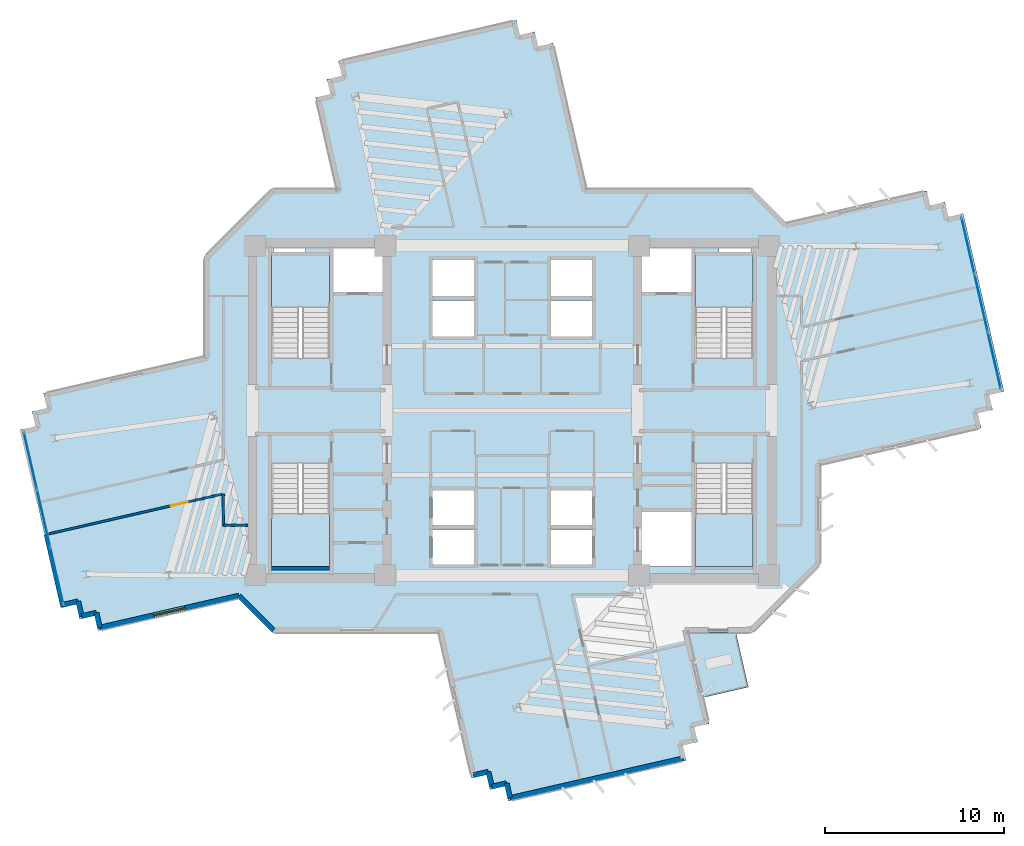
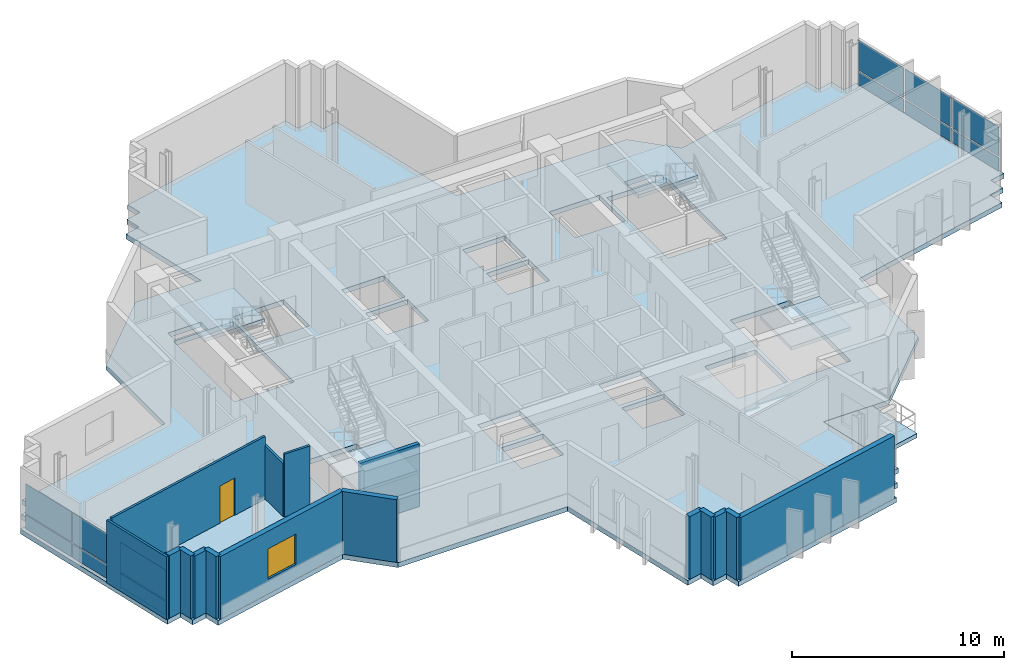
# One storey, part 5 of 13: 16 walls, 12 plates, 6 slabs, 1 door, 1 window, 2 openings, 6 elements without a shape of their own.
"""IFC4 building model written with IfcOpenShell, lengths in metres."""

from ifc_helpers import new_model, si_unit, direction, frame, frame_2d, origin, origin_2d, place, context, subcontext, project, spatial, polyline, rectangle, outline, extrude, source, transform, mapped, material, layer, layer_set, type_object, element, fill, aggregate, save


model = new_model("IFC4")

# Units and contexts
model_context = context("Model", 3, precision=1e-05, world=origin(), true_north=direction((0.0, 1.0)))
body_context = subcontext(model_context, "Body", "Model", "MODEL_VIEW")
ifc_project = project(units=[si_unit("LENGTHUNIT", "METRE"), si_unit("AREAUNIT", "SQUARE_METRE"), si_unit("VOLUMEUNIT", "CUBIC_METRE"), si_unit("PLANEANGLEUNIT", "RADIAN"), si_unit("MASSUNIT", "GRAM", prefix="KILO")], contexts=[model_context])

# Site, building, storey
site_placement = place(None, origin())
site = spatial("IfcSite", under=ifc_project, at=site_placement, CompositionType="ELEMENT")
building_placement = place(site_placement, origin())
building = spatial("IfcBuilding", under=site, at=building_placement, Name="Zahravan Cultural Tower", CompositionType="ELEMENT")
storey_placement = place(building_placement, frame((0.0, 0.0, 178.5)))
storey = spatial("IfcBuildingStorey", under=building, at=storey_placement, Name="L41", CompositionType="ELEMENT", Elevation=178.5)

# Slab
ifc_material_1 = material(Name="Concrete C45/55", Category="concrete")
ifc_layer_1 = layer(ifc_material_1, 0.280029296875)
ifc_layer_set_1 = layer_set([ifc_layer_1], Name="Concrete C45/55")
slab_type_1 = type_object("IfcSlabType", Name="SL-LIB-280", PredefinedType="FLOOR", material=ifc_layer_set_1)
slab_1_placement = place(storey_placement, frame((0.0, 0.0, -0.280029296875)))
element("IfcSlab", 1, at=slab_1_placement, inside=storey, type_object=slab_type_1, Name="L41 Structural Floor Slab", PredefinedType="FLOOR", context=body_context, shape_type="SweptSolid", body=[
    extrude(outline(polyline([(51.31103515625, 37.489013671875), (49.39990234375, 39.39990234375), (40.132080078125, 39.39990234375), (38.267822265625, 47.526611328125), (37.439453125, 47.336669921875), (37.249267578125, 48.165283203125), (36.4208984375, 47.97509765625), (36.230712890625, 48.8037109375), (26.2890625, 46.52294921875), (26.47900390625, 45.694580078125), (25.650634765625, 45.50439453125), (25.840576171875, 44.676025390625), (25.01220703125, 44.48583984375), (26.1787109375, 39.39990234375), (22.60009765625, 39.39990234375), (18.800048828125, 35.60009765625), (18.800048828125, 30.031005859375), (9.820068359375, 27.970947265625), (10.01025390625, 27.142578125), (9.181640625, 26.952392578125), (9.37158203125, 26.1240234375), (8.543212890625, 25.933837890625), (10.823974609375, 15.9921875), (11.65234375, 16.18212890625), (11.84228515625, 15.353759765625), (12.6708984375, 15.543701171875), (12.86083984375, 14.71533203125), (20.68896484375, 16.510986328125), (22.60009765625, 14.60009765625), (31.867919921875, 14.60009765625), (33.732177734375, 6.473388671875), (34.560546875, 6.663330078125), (34.750732421875, 5.834716796875), (35.5791015625, 6.02490234375), (35.769287109375, 5.1962890625), (45.7109375, 7.47705078125), (45.52099609375, 8.305419921875), (46.349365234375, 8.49560546875), (46.159423828125, 9.323974609375), (46.98779296875, 9.51416015625), (45.8212890625, 14.60009765625), (49.39990234375, 14.60009765625), (53.199951171875, 18.39990234375), (53.199951171875, 23.968994140625), (62.179931640625, 26.029052734375), (61.98974609375, 26.857421875), (62.818359375, 27.047607421875), (62.62841796875, 27.8759765625), (63.456787109375, 28.066162109375), (61.176025390625, 38.0078125), (60.34765625, 37.81787109375), (60.15771484375, 38.646240234375), (59.3291015625, 38.456298828125), (59.13916015625, 39.28466796875), (51.31103515625, 37.489013671875)]), holes=[polyline([(22.550048828125, 29.949951171875), (22.550048828125, 35.699951171875), (25.800048828125, 35.699951171875), (25.800048828125, 29.949951171875), (22.550048828125, 29.949951171875)]), polyline([(22.550048828125, 18.300048828125), (22.550048828125, 24.050048828125), (25.800048828125, 24.050048828125), (25.800048828125, 18.300048828125), (22.550048828125, 18.300048828125)]), polyline([(46.199951171875, 29.949951171875), (46.199951171875, 35.699951171875), (49.449951171875, 35.699951171875), (49.449951171875, 29.949951171875), (46.199951171875, 29.949951171875)]), polyline([(46.199951171875, 18.300048828125), (46.199951171875, 24.050048828125), (49.449951171875, 24.050048828125), (49.449951171875, 18.300048828125), (46.199951171875, 18.300048828125)]), polyline([(26.0, 33.60009765625), (26.0, 36.050048828125), (28.75, 36.050048828125), (28.75, 33.60009765625), (26.0, 33.60009765625)]), polyline([(43.25, 33.60009765625), (43.25, 36.050048828125), (46.0, 36.050048828125), (46.0, 33.60009765625), (43.25, 33.60009765625)]), polyline([(43.25, 18.300048828125), (43.25, 21.35009765625), (46.0, 21.35009765625), (46.0, 18.300048828125), (43.25, 18.300048828125)]), polyline([(31.550048828125, 33.39990234375), (31.550048828125, 35.39990234375), (33.85009765625, 35.39990234375), (33.85009765625, 33.39990234375), (31.550048828125, 33.39990234375)]), polyline([(31.550048828125, 31.14990234375), (31.550048828125, 33.14990234375), (33.85009765625, 33.14990234375), (33.85009765625, 31.14990234375), (31.550048828125, 31.14990234375)]), polyline([(38.14990234375, 33.39990234375), (38.14990234375, 35.39990234375), (40.449951171875, 35.39990234375), (40.449951171875, 33.39990234375), (38.14990234375, 33.39990234375)]), polyline([(38.14990234375, 31.14990234375), (38.14990234375, 33.14990234375), (40.449951171875, 33.14990234375), (40.449951171875, 31.14990234375), (38.14990234375, 31.14990234375)]), polyline([(31.550048828125, 20.60009765625), (31.550048828125, 22.550048828125), (33.85009765625, 22.550048828125), (33.85009765625, 20.60009765625), (31.550048828125, 20.60009765625)]), polyline([(31.550048828125, 18.39990234375), (31.550048828125, 20.35009765625), (33.85009765625, 20.35009765625), (33.85009765625, 18.39990234375), (31.550048828125, 18.39990234375)]), polyline([(38.14990234375, 20.60009765625), (38.14990234375, 22.550048828125), (40.449951171875, 22.550048828125), (40.449951171875, 20.60009765625), (38.14990234375, 20.60009765625)]), polyline([(38.14990234375, 18.39990234375), (38.14990234375, 20.35009765625), (40.449951171875, 20.35009765625), (40.449951171875, 18.39990234375), (38.14990234375, 18.39990234375)]), polyline([(22.64990234375, 35.800048828125), (22.64990234375, 36.419921875), (24.449951171875, 36.419921875), (24.449951171875, 35.800048828125), (22.64990234375, 35.800048828125)]), polyline([(47.550048828125, 35.800048828125), (47.550048828125, 36.419921875), (49.35009765625, 36.419921875), (49.35009765625, 35.800048828125), (47.550048828125, 35.800048828125)])]), origin(), (0.0, 0.0, 1.0), 0.280029296875),
])

# Stair, slab
stair_type = type_object("IfcStairType", Name="STR-DL-1550-390", PredefinedType="HALF_TURN_STAIR", material=ifc_material_1)
stair_1_placement = place(storey_placement, origin())
stair_1 = element("IfcStair", 2, at=stair_1_placement, inside=storey, type_object=stair_type, Name="L41 West Core North Exit Stair ST-W1", PredefinedType="HALF_TURN_STAIR")
ifc_layer_2 = layer(ifc_material_1, 0.199951171875)
ifc_layer_set_2 = layer_set([ifc_layer_2], Name="Concrete C45/55")
slab_type_2 = type_object("IfcSlabType", Name="SL-STAIR-LND200", PredefinedType="LANDING", material=ifc_layer_set_2)
slab_2_placement = place(storey_placement, frame((0.0, 0.0, 1.75)))
slab_2 = element("IfcSlab", 3, at=slab_2_placement, type_object=slab_type_2, Name="ST-W1 landing 1", PredefinedType="LANDING", context=body_context, shape_type="SweptSolid", body=[
    extrude(outline(polyline([(25.800048828125, 32.75), (25.800048828125, 35.699951171875), (22.550048828125, 35.699951171875), (22.550048828125, 32.75), (25.800048828125, 32.75)])), origin(), (0.0, 0.0, 1.0), 0.199951171875),
])
aggregate(stair_1, [slab_2])

stair_2_placement = place(storey_placement, origin())
stair_2 = element("IfcStair", 4, at=stair_2_placement, inside=storey, type_object=stair_type, Name="L41 West Core South Exit Stair ST-W2", PredefinedType="HALF_TURN_STAIR")
slab_3_placement = place(storey_placement, frame((0.0, 0.0, 1.75)))
slab_3 = element("IfcSlab", 5, at=slab_3_placement, type_object=slab_type_2, Name="ST-W2 landing 1", PredefinedType="LANDING", context=body_context, shape_type="SweptSolid", body=[
    extrude(outline(polyline([(22.550048828125, 21.25), (22.550048828125, 18.300048828125), (25.800048828125, 18.300048828125), (25.800048828125, 21.25), (22.550048828125, 21.25)])), origin(), (0.0, 0.0, 1.0), 0.199951171875),
])
aggregate(stair_2, [slab_3])

stair_3_placement = place(storey_placement, origin())
stair_3 = element("IfcStair", 6, at=stair_3_placement, inside=storey, type_object=stair_type, Name="L41 East Core North Exit Stair ST-E1", PredefinedType="HALF_TURN_STAIR")
slab_4_placement = place(storey_placement, frame((0.0, 0.0, 1.75)))
slab_4 = element("IfcSlab", 7, at=slab_4_placement, type_object=slab_type_2, Name="ST-E1 landing 1", PredefinedType="LANDING", context=body_context, shape_type="SweptSolid", body=[
    extrude(outline(polyline([(49.449951171875, 32.75), (49.449951171875, 35.699951171875), (46.199951171875, 35.699951171875), (46.199951171875, 32.75), (49.449951171875, 32.75)])), origin(), (0.0, 0.0, 1.0), 0.199951171875),
])
aggregate(stair_3, [slab_4])

stair_4_placement = place(storey_placement, origin())
stair_4 = element("IfcStair", 8, at=stair_4_placement, inside=storey, type_object=stair_type, Name="L41 East Core South Exit Stair ST-E2", PredefinedType="HALF_TURN_STAIR")
slab_5_placement = place(storey_placement, frame((0.0, 0.0, 1.75)))
slab_5 = element("IfcSlab", 9, at=slab_5_placement, type_object=slab_type_2, Name="ST-E2 landing 1", PredefinedType="LANDING", context=body_context, shape_type="SweptSolid", body=[
    extrude(outline(polyline([(46.199951171875, 21.25), (46.199951171875, 18.300048828125), (49.449951171875, 18.300048828125), (49.449951171875, 21.25), (46.199951171875, 21.25)])), origin(), (0.0, 0.0, 1.0), 0.199951171875),
])
aggregate(stair_4, [slab_5])

# Slab
ifc_material_2 = material(Name="Concrete C40/50", Category="concrete")
ifc_layer_3 = layer(ifc_material_2, 0.239990234375)
ifc_layer_set_3 = layer_set([ifc_layer_3], Name="Concrete C40/50")
slab_type_3 = type_object("IfcSlabType", Name="SL-TERR-240", PredefinedType="FLOOR", material=ifc_layer_set_3)
slab_6_placement = place(storey_placement, frame((0.0, 0.0, -0.239990234375)))
element("IfcSlab", 10, at=slab_6_placement, inside=storey, type_object=slab_type_3, Name="L41 Planted Sculpture Terrace SE", PredefinedType="FLOOR", context=body_context, shape_type="SweptSolid", body=[
    extrude(outline(polyline([(49.1865234375, 11.5576171875), (48.48974609375, 14.594970703125), (45.827392578125, 14.594970703125), (46.657470703125, 10.977294921875), (49.1865234375, 11.5576171875)])), origin(), (0.0, 0.0, 1.0), 0.239990234375),
])

# Curtain wall, plates
ifc_material_3 = material(Name="Anodised bronze-aluminium mullion", Category="aluminium")
ifc_layer_4 = layer(ifc_material_3, 0.219970703125)
ifc_layer_set_4 = layer_set([ifc_layer_4], Name="Anodised bronze-aluminium mullion")
curtain_wall_type_1 = type_object("IfcCurtainWallType", Name="CW-SYS-1", PredefinedType="USERDEFINED", material=ifc_layer_set_4)
curtain_wall_1_placement = place(storey_placement, origin())
curtain_wall_1 = element("IfcCurtainWall", 11, at=curtain_wall_1_placement, inside=storey, type_object=curtain_wall_type_1, Name="L41 Recessed Curtain Wall CW-1.1", ObjectType="RECESSED GLAZING", PredefinedType="USERDEFINED")
ifc_material_4 = material(Name="Low-E solar-control double glazing", Category="glass")
ifc_layer_5 = layer(ifc_material_4, 0.031982421875)
ifc_layer_set_5 = layer_set([ifc_layer_5], Name="Low-E solar-control double glazing")
plate_type_1 = type_object("IfcPlateType", Name="CWP-CW-1", PredefinedType="CURTAIN_PANEL", material=ifc_layer_set_5)
shared_shape_1 = source(origin(), body_context, "Body", "SweptSolid", [
    extrude(rectangle(XDim=3.186767578125, YDim=0.031982421875, at=origin_2d()), origin(), (0.0, 0.0, 1.0), 0.780029296875),
])
plate_1_placement = place(storey_placement, frame((61.445068359375, 36.208984375, 0.080078125), z_axis=(0.0, 0.0, 1.0), x_axis=(0.223599629842, -0.974681078884, 0.0)))
plate_1 = element("IfcPlate", 12, at=plate_1_placement, type_object=plate_type_1, Name="CW-1 panel 1.1", PredefinedType="CURTAIN_PANEL", context=body_context, shape_type="MappedRepresentation", body=[
    mapped(shared_shape_1, transform((0.0, 0.0, 0.0), x_axis=(1.0, 0.0, 0.0), y_axis=(0.0, 1.0, 0.0), z_axis=(0.0, 0.0, 1.0), scale=1.0)),
])
plate_2_placement = place(storey_placement, frame((62.914794921875, 29.80224609375, 0.080078125), z_axis=(0.0, 0.0, 1.0), x_axis=(0.223599629842, -0.974681078884, 0.0)))
plate_2 = element("IfcPlate", 13, at=plate_2_placement, type_object=plate_type_1, Name="CW-1 panel 3.1", PredefinedType="CURTAIN_PANEL", context=body_context, shape_type="MappedRepresentation", body=[
    mapped(shared_shape_1, transform((0.0, 0.0, 0.0), x_axis=(1.0, 0.0, 0.0), y_axis=(0.0, 1.0, 0.0), z_axis=(0.0, 0.0, 1.0), scale=1.0)),
])

ifc_layer_6 = layer(ifc_material_3, 0.199951171875)
ifc_layer_set_6 = layer_set([ifc_layer_6], Name="Anodised bronze-aluminium mullion")
curtain_wall_type_2 = type_object("IfcCurtainWallType", Name="CW-SYS-2", PredefinedType="USERDEFINED", material=ifc_layer_set_6)
curtain_wall_2_placement = place(storey_placement, origin())
curtain_wall_2 = element("IfcCurtainWall", 14, at=curtain_wall_2_placement, inside=storey, type_object=curtain_wall_type_2, Name="L41 Recessed Curtain Wall CW-2.2", ObjectType="RECESSED GLAZING", PredefinedType="USERDEFINED")
ifc_layer_7 = layer(ifc_material_4, 0.030029296875)
ifc_layer_set_7 = layer_set([ifc_layer_7], Name="Low-E solar-control double glazing")
plate_type_2 = type_object("IfcPlateType", Name="CWP-CW-2", PredefinedType="CURTAIN_PANEL", material=ifc_layer_set_7)
shared_shape_2 = source(origin(), body_context, "Body", "SweptSolid", [
    extrude(rectangle(XDim=3.194091796875, YDim=0.030029296875, at=origin_2d()), origin(), (0.0, 0.0, 1.0), 0.78759765625),
])
plate_3_placement = place(storey_placement, frame((10.55517578125, 17.789794921875, 0.074951171875), z_axis=(0.0, 0.0, 1.0), x_axis=(-0.223599629842, 0.974681078884, 0.0)))
plate_3 = element("IfcPlate", 15, at=plate_3_placement, type_object=plate_type_2, Name="CW-2 panel 1.1", PredefinedType="CURTAIN_PANEL", context=body_context, shape_type="MappedRepresentation", body=[
    mapped(shared_shape_2, transform((0.0, 0.0, 0.0), x_axis=(1.0, 0.0, 0.0), y_axis=(0.0, 1.0, 0.0), z_axis=(0.0, 0.0, 1.0), scale=1.0)),
])
plate_4_placement = place(storey_placement, frame((9.0849609375, 24.198974609375, 0.074951171875), z_axis=(0.0, 0.0, 1.0), x_axis=(-0.223599629842, 0.974681078884, 0.0)))
plate_4 = element("IfcPlate", 16, at=plate_4_placement, type_object=plate_type_2, Name="CW-2 panel 3.1", PredefinedType="CURTAIN_PANEL", context=body_context, shape_type="MappedRepresentation", body=[
    mapped(shared_shape_2, transform((0.0, 0.0, 0.0), x_axis=(1.0, 0.0, 0.0), y_axis=(0.0, 1.0, 0.0), z_axis=(0.0, 0.0, 1.0), scale=1.0)),
])
shared_shape_3 = source(origin(), body_context, "Body", "SweptSolid", [
    extrude(rectangle(XDim=3.231689453125, YDim=0.030029296875, at=origin_2d()), origin(), (0.0, 0.0, 1.0), 0.78759765625),
])
plate_5_placement = place(storey_placement, frame((9.820068359375, 20.994384765625, 0.074951171875), z_axis=(0.0, 0.0, 1.0), x_axis=(-0.223599629842, 0.974681078884, 0.0)))
plate_5 = element("IfcPlate", 17, at=plate_5_placement, type_object=plate_type_2, Name="CW-2 panel 2.1", PredefinedType="CURTAIN_PANEL", context=body_context, shape_type="MappedRepresentation", body=[
    mapped(shared_shape_3, transform((0.0, 0.0, 0.0), x_axis=(1.0, 0.0, 0.0), y_axis=(0.0, 1.0, 0.0), z_axis=(0.0, 0.0, 1.0), scale=1.0)),
])
shared_shape_4 = source(origin(), body_context, "Body", "SweptSolid", [
    extrude(rectangle(XDim=3.194091796875, YDim=0.030029296875, at=origin_2d()), origin(), (0.0, 0.0, 1.0), 1.7275390625),
])
plate_6_placement = place(storey_placement, frame((10.55517578125, 17.789794921875, 0.9375), z_axis=(0.0, 0.0, 1.0), x_axis=(-0.223599629842, 0.974681078884, 0.0)))
plate_6 = element("IfcPlate", 18, at=plate_6_placement, type_object=plate_type_2, Name="CW-2 panel 1.2", PredefinedType="CURTAIN_PANEL", context=body_context, shape_type="MappedRepresentation", body=[
    mapped(shared_shape_4, transform((0.0, 0.0, 0.0), x_axis=(1.0, 0.0, 0.0), y_axis=(0.0, 1.0, 0.0), z_axis=(0.0, 0.0, 1.0), scale=1.0)),
])
plate_7_placement = place(storey_placement, frame((9.0849609375, 24.198974609375, 0.9375), z_axis=(0.0, 0.0, 1.0), x_axis=(-0.223599629842, 0.974681078884, 0.0)))
plate_7 = element("IfcPlate", 19, at=plate_7_placement, type_object=plate_type_2, Name="CW-2 panel 3.2", PredefinedType="CURTAIN_PANEL", context=body_context, shape_type="MappedRepresentation", body=[
    mapped(shared_shape_4, transform((0.0, 0.0, 0.0), x_axis=(1.0, 0.0, 0.0), y_axis=(0.0, 1.0, 0.0), z_axis=(0.0, 0.0, 1.0), scale=1.0)),
])
shared_shape_5 = source(origin(), body_context, "Body", "SweptSolid", [
    extrude(rectangle(XDim=3.231689453125, YDim=0.030029296875, at=origin_2d()), origin(), (0.0, 0.0, 1.0), 1.7275390625),
])
plate_8_placement = place(storey_placement, frame((9.820068359375, 20.994384765625, 0.9375), z_axis=(0.0, 0.0, 1.0), x_axis=(-0.223599629842, 0.974681078884, 0.0)))
plate_8 = element("IfcPlate", 20, at=plate_8_placement, type_object=plate_type_2, Name="CW-2 panel 2.2", PredefinedType="CURTAIN_PANEL", context=body_context, shape_type="MappedRepresentation", body=[
    mapped(shared_shape_5, transform((0.0, 0.0, 0.0), x_axis=(1.0, 0.0, 0.0), y_axis=(0.0, 1.0, 0.0), z_axis=(0.0, 0.0, 1.0), scale=1.0)),
])
aggregate(curtain_wall_2, [plate_3, plate_6, plate_5, plate_8, plate_4, plate_7])

# Plate
shared_shape_6 = source(origin(), body_context, "Body", "SweptSolid", [
    extrude(rectangle(XDim=3.186767578125, YDim=0.031982421875, at=origin_2d()), origin(), (0.0, 0.0, 1.0), 1.719970703125),
])
plate_9_placement = place(storey_placement, frame((61.445068359375, 36.208984375, 0.93994140625), z_axis=(0.0, 0.0, 1.0), x_axis=(0.223599629842, -0.974681078884, 0.0)))
plate_9 = element("IfcPlate", 21, at=plate_9_placement, type_object=plate_type_1, Name="CW-1 panel 1.2", PredefinedType="CURTAIN_PANEL", context=body_context, shape_type="MappedRepresentation", body=[
    mapped(shared_shape_6, transform((0.0, 0.0, 0.0), x_axis=(1.0, 0.0, 0.0), y_axis=(0.0, 1.0, 0.0), z_axis=(0.0, 0.0, 1.0), scale=1.0)),
])

plate_10_placement = place(storey_placement, frame((62.914794921875, 29.80224609375, 0.93994140625), z_axis=(0.0, 0.0, 1.0), x_axis=(0.223599629842, -0.974681078884, 0.0)))
plate_10 = element("IfcPlate", 22, at=plate_10_placement, type_object=plate_type_1, Name="CW-1 panel 3.2", PredefinedType="CURTAIN_PANEL", context=body_context, shape_type="MappedRepresentation", body=[
    mapped(shared_shape_6, transform((0.0, 0.0, 0.0), x_axis=(1.0, 0.0, 0.0), y_axis=(0.0, 1.0, 0.0), z_axis=(0.0, 0.0, 1.0), scale=1.0)),
])

shared_shape_7 = source(origin(), body_context, "Body", "SweptSolid", [
    extrude(rectangle(XDim=3.2265625, YDim=0.031982421875, at=origin_2d()), origin(), (0.0, 0.0, 1.0), 0.780029296875),
])
plate_11_placement = place(storey_placement, frame((62.179931640625, 33.005615234375, 0.080078125), z_axis=(0.0, 0.0, 1.0), x_axis=(0.223599629842, -0.974681078884, 0.0)))
plate_11 = element("IfcPlate", 23, at=plate_11_placement, type_object=plate_type_1, Name="CW-1 panel 2.1", PredefinedType="CURTAIN_PANEL", context=body_context, shape_type="MappedRepresentation", body=[
    mapped(shared_shape_7, transform((0.0, 0.0, 0.0), x_axis=(1.0, 0.0, 0.0), y_axis=(0.0, 1.0, 0.0), z_axis=(0.0, 0.0, 1.0), scale=1.0)),
])

shared_shape_8 = source(origin(), body_context, "Body", "SweptSolid", [
    extrude(rectangle(XDim=3.2265625, YDim=0.031982421875, at=origin_2d()), origin(), (0.0, 0.0, 1.0), 1.719970703125),
])
plate_12_placement = place(storey_placement, frame((62.179931640625, 33.005615234375, 0.93994140625), z_axis=(0.0, 0.0, 1.0), x_axis=(0.223599629842, -0.974681078884, 0.0)))
plate_12 = element("IfcPlate", 24, at=plate_12_placement, type_object=plate_type_1, Name="CW-1 panel 2.2", PredefinedType="CURTAIN_PANEL", context=body_context, shape_type="MappedRepresentation", body=[
    mapped(shared_shape_8, transform((0.0, 0.0, 0.0), x_axis=(1.0, 0.0, 0.0), y_axis=(0.0, 1.0, 0.0), z_axis=(0.0, 0.0, 1.0), scale=1.0)),
])

aggregate(curtain_wall_1, [plate_1, plate_9, plate_11, plate_12, plate_2, plate_10])

# Wall, opening, window
ifc_material_5 = material(Name="Precast concrete C40/50", Category="concrete")
ifc_layer_8 = layer(ifc_material_5, 0.280029296875)
ifc_layer_set_8 = layer_set([ifc_layer_8], Name="Precast concrete C40/50")
wall_type_1 = type_object("IfcWallType", Name="EW-TC-280", PredefinedType="SOLIDWALL", material=ifc_layer_set_8)
wall_1_placement = place(storey_placement, frame((20.733154296875, 16.664794921875, 0.0), z_axis=(0.0, 0.0, 1.0), x_axis=(-0.974683655327, -0.223588398711, 0.0)))
wall_1 = element("IfcWall", 25, at=wall_1_placement, inside=storey, type_object=wall_type_1, Name="L41 Exterior Masonry Frame Wall 27", PredefinedType="SOLIDWALL", context=body_context, shape_type="SweptSolid", body=[
    extrude(rectangle(XDim=7.96875, YDim=0.280029296875, at=frame_2d((3.984375, 0.0))), origin(), (0.0, 0.0, 1.0), 3.6201171875),
])
opening_1_placement = place(wall_1_placement, frame((3.083984375, 0.0, 0.85009765625)))
opening_1 = element("IfcOpeningElement", 26, at=opening_1_placement, cuts=wall_1, Name="Opening WN-02", PredefinedType="OPENING", context=body_context, shape_type="SweptSolid", body=[
    extrude(rectangle(XDim=1.800048828125, YDim=1.75, at=frame_2d((0.89990234375, 0.875))), frame((0.0, 0.14990234375, 0.0), z_axis=(0.0, -1.0, 0.0), x_axis=(1.0, 0.0, 0.0)), (0.0, 0.0, 1.0), 0.300048828125),
])
window_type = type_object("IfcWindowType", Name="WN-REC-1800X1750", PartitioningType="DOUBLE_PANEL_VERTICAL", PredefinedType="WINDOW", material=ifc_material_4)
shared_shape_9 = source(origin(), body_context, "Body", "SweptSolid", [
    extrude(rectangle(XDim=1.800048828125, YDim=1.75, at=frame_2d((0.89990234375, 0.875))), frame((0.0, 0.030029296875, 0.0), z_axis=(0.0, -1.0, 0.0), x_axis=(1.0, 0.0, 0.0)), (0.0, 0.0, 1.0), 0.06005859375),
])
window_placement = place(opening_1_placement, origin())
window = element("IfcWindow", 27, at=window_placement, inside=storey, type_object=window_type, Name="L41 Recessed Solar Window 07", OverallHeight=1.75, OverallWidth=1.800048828125, PartitioningType="DOUBLE_PANEL_VERTICAL", PredefinedType="WINDOW", context=body_context, shape_type="MappedRepresentation", body=[
    mapped(shared_shape_9, transform((0.0, 0.0, 0.0), x_axis=(1.0, 0.0, 0.0), y_axis=(0.0, 1.0, 0.0), z_axis=(0.0, 0.0, 1.0), scale=1.0)),
])
fill(opening_1, window)

# Wall, opening, door
ifc_material_6 = material(Name="Gypsum plasterboard partition")
ifc_layer_9 = layer(ifc_material_6, 0.125)
ifc_layer_set_9 = layer_set([ifc_layer_9], Name="Gypsum plasterboard partition")
wall_type_2 = type_object("IfcWallType", Name="W-PART-125", PredefinedType="PARTITIONING", material=ifc_layer_set_9)
wall_2_placement = place(storey_placement, frame((10.128173828125, 20.12109375, 0.0), z_axis=(0.0, 0.0, 1.0), x_axis=(0.974684890892, 0.223583012474, 0.0)))
wall_2 = element("IfcWall", 28, at=wall_2_placement, inside=storey, type_object=wall_type_2, Name="L41 Interior Wall 111", PredefinedType="PARTITIONING", context=body_context, shape_type="SweptSolid", body=[
    extrude(rectangle(XDim=9.905029296875, YDim=0.125, at=frame_2d((4.95263671875, 0.0))), origin(), (0.0, 0.0, 1.0), 3.6201171875),
])
opening_2_placement = place(wall_2_placement, frame((6.985107421875, 0.0, 0.0)))
opening_2 = element("IfcOpeningElement", 29, at=opening_2_placement, cuts=wall_2, Name="Opening D-L41-27", PredefinedType="OPENING", context=body_context, shape_type="SweptSolid", body=[
    extrude(rectangle(XDim=0.949951171875, YDim=2.14990234375, at=frame_2d((0.47509765625, 1.074951171875))), frame((0.0, 0.072509765625, 0.0), z_axis=(0.0, -1.0, 0.0), x_axis=(1.0, 0.0, 0.0)), (0.0, 0.0, 1.0), 0.14501953125),
])
door_type = type_object("IfcDoorType", Name="DR-ROOM-950", OperationType="NOTDEFINED", PredefinedType="DOOR", material=ifc_material_3)
shared_shape_10 = source(origin(), body_context, "Body", "SweptSolid", [
    extrude(rectangle(XDim=0.949951171875, YDim=2.14990234375, at=frame_2d((0.47509765625, 1.074951171875))), frame((0.0, 0.02490234375, 0.0), z_axis=(0.0, -1.0, 0.0), x_axis=(1.0, 0.0, 0.0)), (0.0, 0.0, 1.0), 0.050048828125),
])
door_placement = place(opening_2_placement, origin())
door = element("IfcDoor", 30, at=door_placement, inside=storey, type_object=door_type, Name="L41 Door D-L41-27", OperationType="SINGLE_SWING_LEFT", OverallHeight=2.14990234375, OverallWidth=0.949951171875, PredefinedType="DOOR", context=body_context, shape_type="MappedRepresentation", body=[
    mapped(shared_shape_10, transform((0.0, 0.0, 0.0), x_axis=(1.0, 0.0, 0.0), y_axis=(0.0, 1.0, 0.0), z_axis=(0.0, 0.0, 1.0), scale=1.0)),
])
fill(opening_2, door)

# Walls
shared_shape_11 = source(origin(), body_context, "Body", "SweptSolid", [
    extrude(rectangle(XDim=0.85009765625, YDim=0.280029296875, at=frame_2d((0.425048828125, 0.0))), origin(), (0.0, 0.0, 1.0), 3.6201171875),
])
for number, where, z_axis, x_axis, name in (
    (31, (35.684326171875, 6.192626953125, 0.0), (0.0, 0.0, 1.0), (-0.974719289743, -0.223433001597, 0.0), "L41 Exterior Masonry Frame Wall 21"),
    (32, (12.966064453125, 14.883056640625, 0.0), (0.0, 0.0, 1.0), (-0.223433001597, 0.974719289743, 0.0), "L41 Exterior Masonry Frame Wall 28"),
    (33, (12.776123046875, 15.711669921875, 0.0), (0.0, 0.0, 1.0), (-0.974656710285, -0.22370582714, 0.0), "L41 Exterior Masonry Frame Wall 29"),
    (34, (11.947509765625, 15.521484375, 0.0), (0.0, 0.0, 1.0), (-0.22370582714, 0.974656710285, 0.0), "L41 Exterior Masonry Frame Wall 30"),
):
    element("IfcWall", number, at=place(storey_placement, frame(where, z_axis=z_axis, x_axis=x_axis)), inside=storey, type_object=wall_type_1, Name=name, PredefinedType="SOLIDWALL", context=body_context, shape_type="MappedRepresentation", body=[
        mapped(shared_shape_11, transform((0.0, 0.0, 0.0), x_axis=(1.0, 0.0, 0.0), y_axis=(0.0, 1.0, 0.0), z_axis=(0.0, 0.0, 1.0), scale=1.0)),
    ])
shared_shape_12 = source(origin(), body_context, "Body", "SweptSolid", [
    extrude(rectangle(XDim=0.849853515625, YDim=0.280029296875, at=frame_2d((0.4248046875, 0.0))), origin(), (0.0, 0.0, 1.0), 3.6201171875),
])
for number, where, z_axis, x_axis, name in (
    (35, (35.87451171875, 5.3642578125, 0.0), (0.0, 0.0, 1.0), (-0.223768457828, 0.974642333003, 0.0), "L41 Exterior Masonry Frame Wall 20"),
    (36, (34.855712890625, 6.002685546875, 0.0), (0.0, 0.0, 1.0), (-0.223495563939, 0.974704946586, 0.0), "L41 Exterior Masonry Frame Wall 22"),
    (37, (34.665771484375, 6.8310546875, 0.0), (0.0, 0.0, 1.0), (-0.974704946586, -0.223495563939, 0.0), "L41 Exterior Masonry Frame Wall 23"),
):
    element("IfcWall", number, at=place(storey_placement, frame(where, z_axis=z_axis, x_axis=x_axis)), inside=storey, type_object=wall_type_1, Name=name, PredefinedType="SOLIDWALL", context=body_context, shape_type="MappedRepresentation", body=[
        mapped(shared_shape_12, transform((0.0, 0.0, 0.0), x_axis=(1.0, 0.0, 0.0), y_axis=(0.0, 1.0, 0.0), z_axis=(0.0, 0.0, 1.0), scale=1.0)),
    ])
shared_shape_13 = source(origin(), body_context, "Body", "SweptSolid", [
    extrude(rectangle(XDim=9.919921875, YDim=0.280029296875, at=frame_2d((4.9599609375, 0.0))), origin(), (0.0, 0.0, 1.0), 3.6201171875),
])
wall_3_placement = place(storey_placement, frame((45.543212890625, 7.582275390625, 0.0), z_axis=(0.0, 0.0, 1.0), x_axis=(-0.974682391567, -0.223593907719, 0.0)))
element("IfcWall", 38, at=wall_3_placement, inside=storey, type_object=wall_type_1, Name="L41 Exterior Masonry Frame Wall 19", PredefinedType="SOLIDWALL", context=body_context, shape_type="MappedRepresentation", body=[
    mapped(shared_shape_13, transform((0.0, 0.0, 0.0), x_axis=(1.0, 0.0, 0.0), y_axis=(0.0, 1.0, 0.0), z_axis=(0.0, 0.0, 1.0), scale=1.0)),
])
shared_shape_14 = source(origin(), body_context, "Body", "SweptSolid", [
    extrude(rectangle(XDim=0.849609375, YDim=0.280029296875, at=frame_2d((0.4248046875, 0.0))), origin(), (0.0, 0.0, 1.0), 3.6201171875),
])
wall_4_placement = place(storey_placement, frame((11.75732421875, 16.35009765625, 0.0), z_axis=(0.0, 0.0, 1.0), x_axis=(-0.97462794364, -0.22383112267, 0.0)))
element("IfcWall", 39, at=wall_4_placement, inside=storey, type_object=wall_type_1, Name="L41 Exterior Masonry Frame Wall 31", PredefinedType="SOLIDWALL", context=body_context, shape_type="MappedRepresentation", body=[
    mapped(shared_shape_14, transform((0.0, 0.0, 0.0), x_axis=(1.0, 0.0, 0.0), y_axis=(0.0, 1.0, 0.0), z_axis=(0.0, 0.0, 1.0), scale=1.0)),
])
shared_shape_15 = source(origin(), body_context, "Body", "SweptSolid", [
    extrude(rectangle(XDim=2.72216796875, YDim=0.280029296875, at=frame_2d((1.361083984375, 0.0))), origin(), (0.0, 0.0, 1.0), 3.6201171875),
])
wall_5_placement = place(storey_placement, frame((22.657958984375, 14.739990234375, 0.0), z_axis=(0.0, 0.0, 1.0), x_axis=(-0.707106781187, 0.707106781187, 0.0)))
element("IfcWall", 40, at=wall_5_placement, inside=storey, type_object=wall_type_1, Name="L41 Exterior Masonry Frame Wall 26", PredefinedType="SOLIDWALL", context=body_context, shape_type="MappedRepresentation", body=[
    mapped(shared_shape_15, transform((0.0, 0.0, 0.0), x_axis=(1.0, 0.0, 0.0), y_axis=(0.0, 1.0, 0.0), z_axis=(0.0, 0.0, 1.0), scale=1.0)),
])
ifc_layer_10 = layer(ifc_material_1, 0.199951171875)
ifc_layer_set_10 = layer_set([ifc_layer_10], Name="Concrete C45/55")
wall_type_3 = type_object("IfcWallType", Name="W-SHAFT-200", PredefinedType="SOLIDWALL", material=ifc_layer_set_10)
shared_shape_16 = source(origin(), body_context, "Body", "SweptSolid", [
    extrude(rectangle(XDim=3.25, YDim=0.199951171875, at=frame_2d((1.625, 0.0))), origin(), (0.0, 0.0, 1.0), 3.6201171875),
])
wall_6_placement = place(storey_placement, frame((22.550048828125, 18.199951171875, 0.0), z_axis=(0.0, 0.0, 1.0), x_axis=(1.0, 0.0, 0.0)))
element("IfcWall", 41, at=wall_6_placement, inside=storey, type_object=wall_type_3, Name="L41 Interior Wall 019", PredefinedType="SOLIDWALL", context=body_context, shape_type="MappedRepresentation", body=[
    mapped(shared_shape_16, transform((0.0, 0.0, 0.0), x_axis=(1.0, 0.0, 0.0), y_axis=(0.0, 1.0, 0.0), z_axis=(0.0, 0.0, 1.0), scale=1.0)),
])
shared_shape_17 = source(origin(), body_context, "Body", "SweptSolid", [
    extrude(rectangle(XDim=4.159912109375, YDim=0.125, at=frame_2d((2.080078125, 0.0))), origin(), (0.0, 0.0, 1.0), 3.6201171875),
])
wall_7_placement = place(storey_placement, frame((10.8388671875, 16.01611328125, 0.0), z_axis=(0.0, 0.0, 1.0), x_axis=(-0.223599186995, 0.974681180477, 0.0)))
element("IfcWall", 42, at=wall_7_placement, inside=storey, type_object=wall_type_2, Name="L41 Interior Wall 110", PredefinedType="PARTITIONING", context=body_context, shape_type="MappedRepresentation", body=[
    mapped(shared_shape_17, transform((0.0, 0.0, 0.0), x_axis=(1.0, 0.0, 0.0), y_axis=(0.0, 1.0, 0.0), z_axis=(0.0, 0.0, 1.0), scale=1.0)),
])
shared_shape_18 = source(origin(), body_context, "Body", "SweptSolid", [
    extrude(rectangle(XDim=1.39404296875, YDim=0.125, at=frame_2d((0.697021484375, 0.0))), origin(), (0.0, 0.0, 1.0), 3.6201171875),
])
wall_8_placement = place(storey_placement, frame((19.85107421875, 20.60107421875, 0.0), z_axis=(0.0, 0.0, 1.0), x_axis=(0.999999754632, -0.000700525222, 0.0)))
element("IfcWall", 43, at=wall_8_placement, inside=storey, type_object=wall_type_2, Name="L41 Interior Wall 109", PredefinedType="PARTITIONING", context=body_context, shape_type="MappedRepresentation", body=[
    mapped(shared_shape_18, transform((0.0, 0.0, 0.0), x_axis=(1.0, 0.0, 0.0), y_axis=(0.0, 1.0, 0.0), z_axis=(0.0, 0.0, 1.0), scale=1.0)),
])
shared_shape_19 = source(origin(), body_context, "Body", "SweptSolid", [
    extrude(rectangle(XDim=1.750244140625, YDim=0.125, at=frame_2d((0.875, 0.0))), origin(), (0.0, 0.0, 1.0), 3.0791015625),
])
wall_9_placement = place(storey_placement, frame((19.85009765625, 22.351318359375, 0.0), z_axis=(0.0, 0.0, 1.0), x_axis=(0.000557957787, -0.999999844342, 0.0)))
element("IfcWall", 44, at=wall_9_placement, inside=storey, type_object=wall_type_2, Name="L41 Interior Wall 108", PredefinedType="PARTITIONING", context=body_context, shape_type="MappedRepresentation", body=[
    mapped(shared_shape_19, transform((0.0, 0.0, 0.0), x_axis=(1.0, 0.0, 0.0), y_axis=(0.0, 1.0, 0.0), z_axis=(0.0, 0.0, 1.0), scale=1.0)),
])

save(model, "model.ifc")
